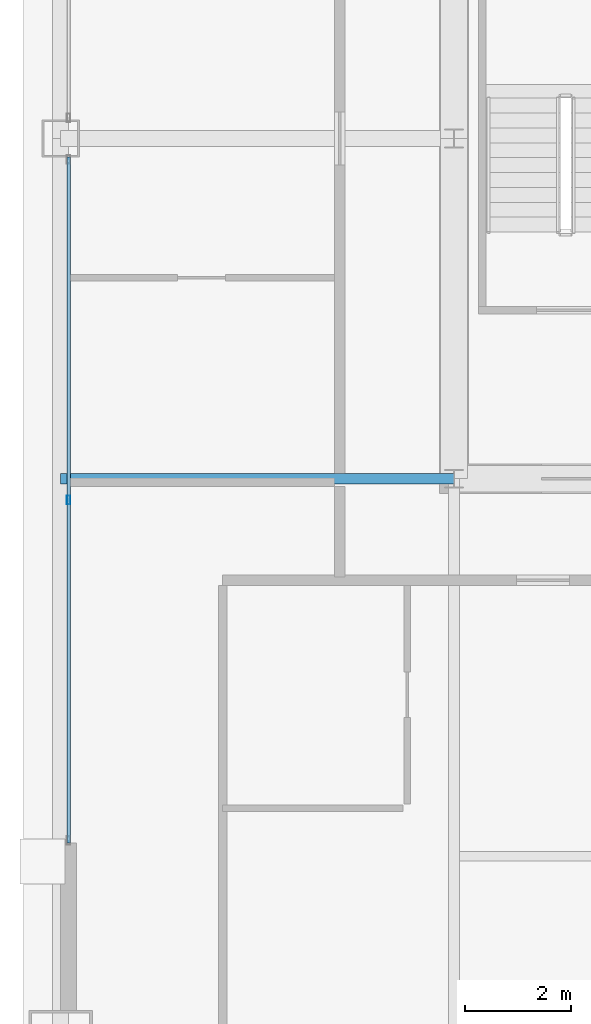
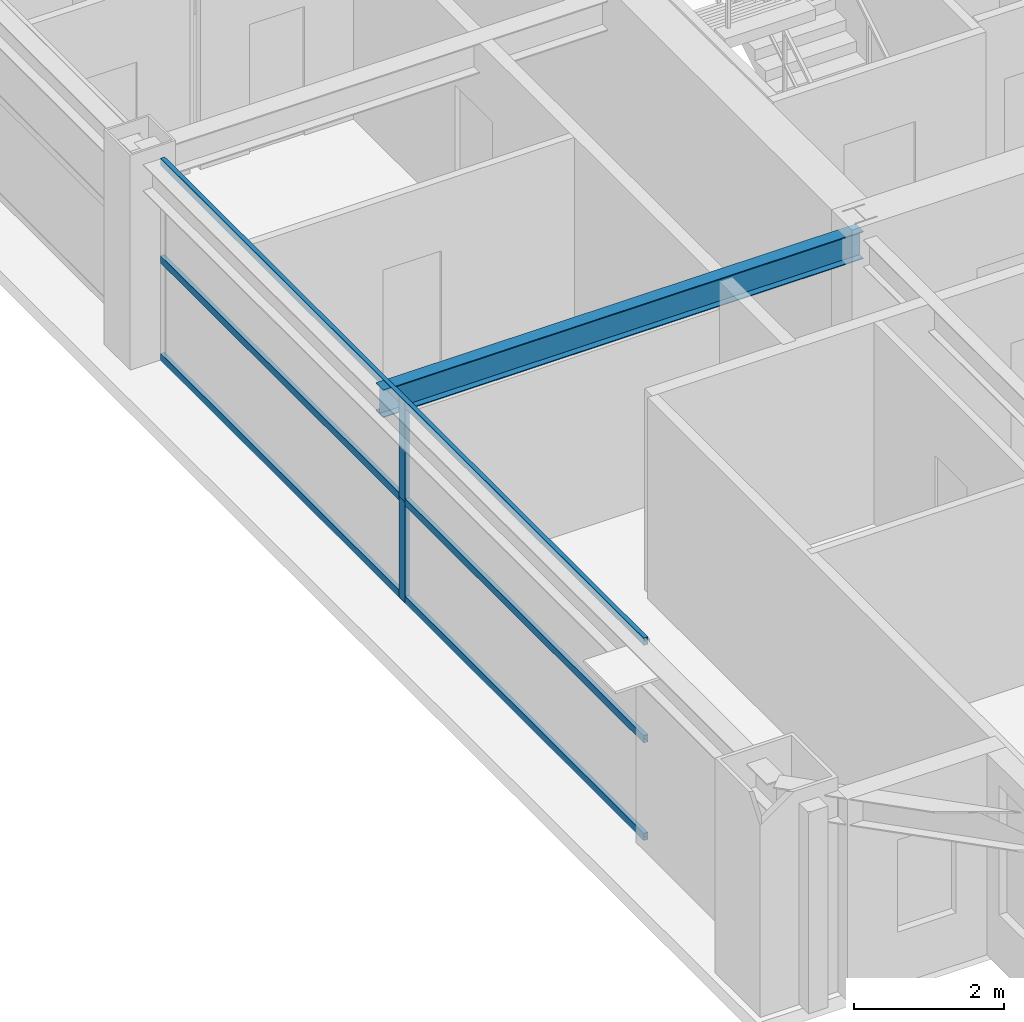
# One storey, part 8 of 37: 5 members, 1 beam, 1 element without a shape of its own.
"""IFC4 building model written with IfcOpenShell, lengths in metres."""

from ifc_helpers import new_model, si_unit, direction, frame, origin, origin_2d, place, context, subcontext, project, spatial, hollow_rectangle, i_section, extrude, source, transform, mapped, material, layer, layer_set, material_profile, profile_set, type_object, element, aggregate, save


model = new_model("IFC4")

# Units and contexts
model_context = context("Model", 3, precision=1e-05, world=origin(), true_north=direction((0.0, 1.0)))
body_context = subcontext(model_context, "Body", "Model", "MODEL_VIEW")
ifc_project = project(units=[si_unit("LENGTHUNIT", "METRE"), si_unit("AREAUNIT", "SQUARE_METRE"), si_unit("VOLUMEUNIT", "CUBIC_METRE"), si_unit("PLANEANGLEUNIT", "RADIAN"), si_unit("MASSUNIT", "GRAM", prefix="KILO"), si_unit("THERMODYNAMICTEMPERATUREUNIT", "KELVIN"), si_unit("POWERUNIT", "WATT")], contexts=[model_context])

# Site, building, storey
site_placement = place(None, origin())
site = spatial("IfcSite", under=ifc_project, at=site_placement, CompositionType="ELEMENT")
building_placement = place(site_placement, origin())
building = spatial("IfcBuilding", under=site, at=building_placement, Name="Yuzanri Waterfront Tower", CompositionType="ELEMENT")
storey_placement = place(building_placement, frame((0.0, 0.0, 268.10009765625)))
storey = spatial("IfcBuildingStorey", under=building, at=storey_placement, Name="L71", CompositionType="ELEMENT", Elevation=268.10009765625)

# Beam
ifc_material_1 = material(Name="Steel Q355B", Category="steel")
ifc_material_profile_1 = material_profile(ifc_material_1, i_section(OverallWidth=0.199951171875, OverallDepth=0.449951171875, WebThickness=0.009033203125, FlangeThickness=0.013916015625, at=origin_2d()), Name="HN 450x200x9x14")
ifc_profile_set_1 = profile_set([ifc_material_profile_1], Name="Steel Q355B")
beam_type = type_object("IfcBeamType", Name="Secondary Floor Beam Q355B HN 450x200", PredefinedType="BEAM", material=ifc_profile_set_1)
shared_shape_1 = source(origin(), body_context, "Body", "SweptSolid", [
    extrude(i_section(OverallWidth=0.199951171875, OverallDepth=0.449951171875, WebThickness=0.009033203125, FlangeThickness=0.013916015625, at=origin_2d()), origin(), (0.0, 0.0, 1.0), 7.400146484375),
])
beam_placement = place(storey_placement, frame((23.800048828125, 19.39990234375, 3.054931640625), z_axis=(-1.0, 0.0, 0.0), x_axis=(0.0, -1.0, 0.0)))
element("IfcBeam", 1, at=beam_placement, inside=storey, type_object=beam_type, Name="L71 West-South Core Line Beam", PredefinedType="BEAM", context=body_context, shape_type="MappedRepresentation", body=[
    mapped(shared_shape_1, transform((0.0, 0.0, 0.0), scale=1.0)),
])

# Curtain wall, members
ifc_material_2 = material(Name="Anodized Architectural Bronze", Category="metal")
ifc_layer = layer(ifc_material_2, 0.159912109375)
ifc_layer_set = layer_set([ifc_layer], Name="Anodized Architectural Bronze")
curtain_wall_type = type_object("IfcCurtainWallType", Name="Anodized Bronze Mid-Rise Residential Acoustic Unitized Curtain Wall 7200", PredefinedType="NOTDEFINED", material=ifc_layer_set)
curtain_wall_placement = place(storey_placement, origin())
curtain_wall = element("IfcCurtainWall", 2, at=curtain_wall_placement, inside=storey, type_object=curtain_wall_type, Name="L71 Curtain Wall CW-L71-WL", PredefinedType="NOTDEFINED")
ifc_material_3 = material(Name="Anodized Architectural Bronze", Category="metal")
ifc_material_profile_2 = material_profile(ifc_material_3, hollow_rectangle(XDim=0.06494140625, YDim=0.159912109375, WallThickness=0.00341796875, at=origin_2d()), Name="CWM 65x160")
ifc_profile_set_2 = profile_set([ifc_material_profile_2], Name="Anodized Architectural Bronze")
member_type_1 = type_object("IfcMemberType", Name="Anodized Bronze Upper-Zone Curtain-Wall Mullion 65x160", PredefinedType="MULLION", material=ifc_profile_set_2)
shared_shape_2 = source(origin(), body_context, "Body", "SweptSolid", [
    extrude(hollow_rectangle(XDim=0.06494140625, YDim=0.159912109375, WallThickness=0.00341796875, at=origin_2d()), origin(), (0.0, 0.0, 1.0), 1.637939453125),
])
member_1_placement = place(storey_placement, frame((16.550048828125, 19.0, 0.0), z_axis=(0.0, 0.0, 1.0), x_axis=(1.0, 0.0, 0.0)))
member_1 = element("IfcMember", 3, at=member_1_placement, type_object=member_type_1, Name="CW-L71-WL Lower Mullion 01", PredefinedType="MULLION", context=body_context, shape_type="MappedRepresentation", body=[
    mapped(shared_shape_2, transform((0.0, 0.0, 0.0), scale=1.0)),
])
member_2_placement = place(storey_placement, frame((16.550048828125, 19.0, 1.641845703125), z_axis=(0.0, 0.0, 1.0), x_axis=(1.0, 0.0, 0.0)))
member_2 = element("IfcMember", 4, at=member_2_placement, type_object=member_type_1, Name="CW-L71-WL Upper Mullion 01", PredefinedType="MULLION", context=body_context, shape_type="MappedRepresentation", body=[
    mapped(shared_shape_2, transform((0.0, 0.0, 0.0), scale=1.0)),
])
ifc_material_4 = material(Name="Anodized Architectural Bronze", Category="metal")
ifc_material_profile_3 = material_profile(ifc_material_4, hollow_rectangle(XDim=0.06494140625, YDim=0.1201171875, WallThickness=0.00341796875, at=origin_2d()), Name="CWT 65x120")
ifc_profile_set_3 = profile_set([ifc_material_profile_3], Name="Anodized Architectural Bronze")
member_type_2 = type_object("IfcMemberType", Name="Anodized Bronze Secondary Curtain-Wall Transom 65x120", PredefinedType="USERDEFINED", material=ifc_profile_set_3)
shared_shape_3 = source(origin(), body_context, "Body", "SweptSolid", [
    extrude(hollow_rectangle(XDim=0.06494140625, YDim=0.1201171875, WallThickness=0.00341796875, at=origin_2d()), origin(), (0.0, 0.0, 1.0), 12.89990234375),
])
member_3_placement = place(storey_placement, frame((16.550048828125, 12.550048828125, 0.0498046875), z_axis=(0.0, 1.0, 0.0), x_axis=(-1.0, 0.0, 0.0)))
member_3 = element("IfcMember", 5, at=member_3_placement, type_object=member_type_2, Name="CW-L71-WL Transom 1", ObjectType="TRANSOM", PredefinedType="USERDEFINED", context=body_context, shape_type="MappedRepresentation", body=[
    mapped(shared_shape_3, transform((0.0, 0.0, 0.0), scale=1.0)),
])
member_4_placement = place(storey_placement, frame((16.550048828125, 12.550048828125, 1.639892578125), z_axis=(0.0, 1.0, 0.0), x_axis=(-1.0, 0.0, 0.0)))
member_4 = element("IfcMember", 6, at=member_4_placement, type_object=member_type_2, Name="CW-L71-WL Transom 2", ObjectType="TRANSOM", PredefinedType="USERDEFINED", context=body_context, shape_type="MappedRepresentation", body=[
    mapped(shared_shape_3, transform((0.0, 0.0, 0.0), scale=1.0)),
])
member_5_placement = place(storey_placement, frame((16.550048828125, 12.550048828125, 3.22998046875), z_axis=(0.0, 1.0, 0.0), x_axis=(-1.0, 0.0, 0.0)))
member_5 = element("IfcMember", 7, at=member_5_placement, type_object=member_type_2, Name="CW-L71-WL Transom 3", ObjectType="TRANSOM", PredefinedType="USERDEFINED", context=body_context, shape_type="MappedRepresentation", body=[
    mapped(shared_shape_3, transform((0.0, 0.0, 0.0), scale=1.0)),
])
aggregate(curtain_wall, [member_1, member_2, member_3, member_4, member_5])

save(model, "model.ifc")
